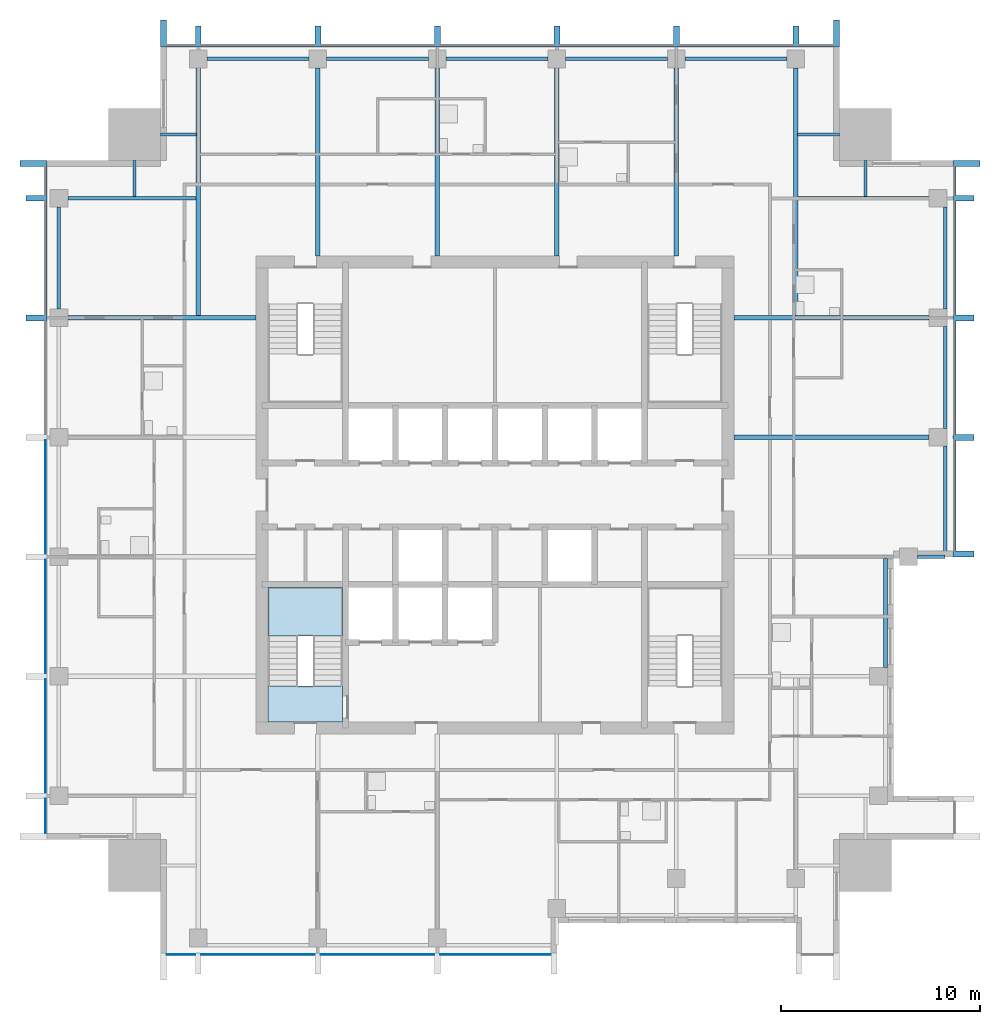
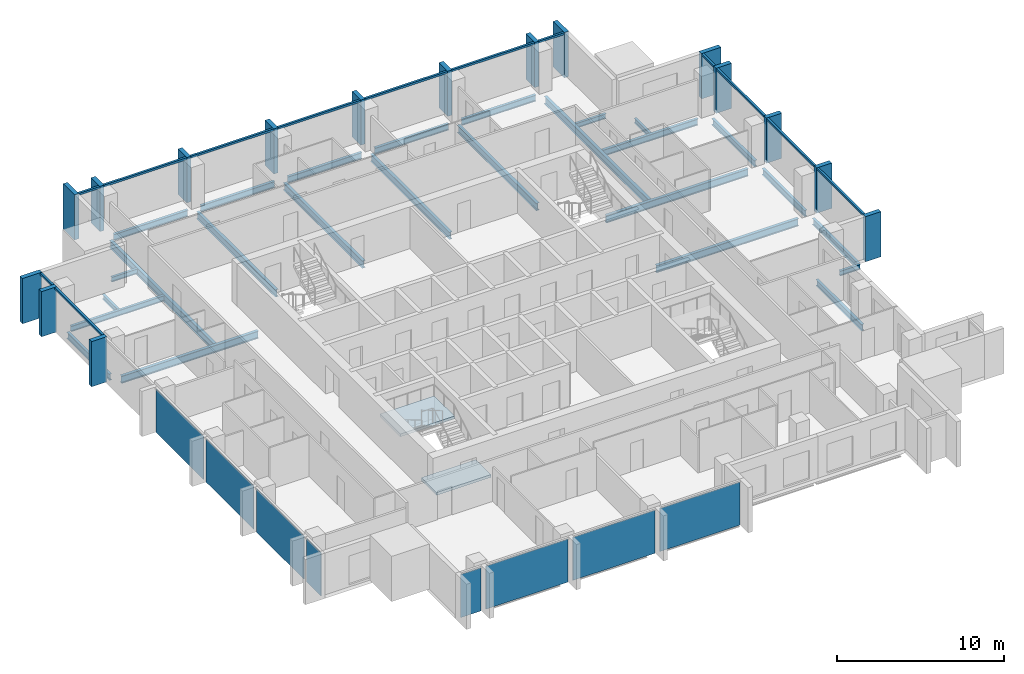
# One storey, part 2 of 9: 29 members, 26 beams, 8 plates, 2 slabs, 5 elements without a shape of their own.
"""IFC4 building model written with IfcOpenShell, lengths in metres."""

from ifc_helpers import new_model, si_unit, direction, frame, origin, origin_2d, place, context, subcontext, project, spatial, polyline, rectangle, i_section, outline, extrude, material, layer, layer_set, material_profile, profile_set, type_object, element, aggregate, save


model = new_model("IFC4")

# Units and contexts
model_context = context("Model", 3, precision=1e-05, world=origin(), true_north=direction((0.0, 1.0)))
body_context = subcontext(model_context, "Body", "Model", "MODEL_VIEW")
ifc_project = project(units=[si_unit("LENGTHUNIT", "METRE"), si_unit("AREAUNIT", "SQUARE_METRE"), si_unit("VOLUMEUNIT", "CUBIC_METRE"), si_unit("PLANEANGLEUNIT", "RADIAN"), si_unit("MASSUNIT", "GRAM", prefix="KILO")], contexts=[model_context])

# Site, building, storey
site_placement = place(None, origin())
site = spatial("IfcSite", under=ifc_project, at=site_placement, CompositionType="ELEMENT")
building_placement = place(site_placement, origin())
building = spatial("IfcBuilding", under=site, at=building_placement, Name="Amberfall Residences", CompositionType="ELEMENT")
storey_placement = place(building_placement, frame((0.0, 0.0, 210.10009765625)))
storey = spatial("IfcBuildingStorey", under=building, at=storey_placement, Name="L56", CompositionType="ELEMENT", Elevation=210.10009765625)

# Curtain wall, members
ifc_material_1 = material(Name="Bronze anodised aluminium and glass", Category="aluminium")
curtain_wall_type = type_object("IfcCurtainWallType", Name="Curtain wall CW1 tower unit", PredefinedType="USERDEFINED", material=ifc_material_1)
curtain_wall_1_placement = place(storey_placement, origin())
curtain_wall_1 = element("IfcCurtainWall", 1, at=curtain_wall_1_placement, inside=storey, type_object=curtain_wall_type, Name="Curtain wall L56 E E6", ObjectType="UNITISED CURTAIN WALL", PredefinedType="USERDEFINED")
ifc_material_2 = material(Name="Bronze anodised aluminium", Category="aluminium")
ifc_material_profile_1 = material_profile(ifc_material_2, rectangle(XDim=0.14990234375, YDim=0.14990234375, at=origin_2d()), Name="CW1 transom 150 x 150 bronze")
ifc_profile_set_1 = profile_set([ifc_material_profile_1], Name="Bronze anodised aluminium")
member_type_1 = type_object("IfcMemberType", Name="CW1 transom 150 x 150 bronze", PredefinedType="USERDEFINED", material=ifc_profile_set_1)
member_1_placement = place(storey_placement, frame((97.574951171875, 42.699951171875, 2.974853515625), z_axis=(0.0, 1.0, 0.0), x_axis=(-1.0, 0.0, 0.0)))
member_1 = element("IfcMember", 2, at=member_1_placement, type_object=member_type_1, Name="CW1 transom 1.1", ObjectType="TRANSOM", PredefinedType="USERDEFINED", context=body_context, shape_type="SweptSolid", body=[
    extrude(rectangle(XDim=0.14990234375, YDim=0.14990234375, at=origin_2d()), origin(), (0.0, 0.0, 1.0), 5.550048828125),
])
member_2_placement = place(storey_placement, frame((97.574951171875, 48.550048828125, 2.974853515625), z_axis=(0.0, 1.0, 0.0), x_axis=(-1.0, 0.0, 0.0)))
member_2 = element("IfcMember", 3, at=member_2_placement, type_object=member_type_1, Name="CW1 transom 2.1", ObjectType="TRANSOM", PredefinedType="USERDEFINED", context=body_context, shape_type="SweptSolid", body=[
    extrude(rectangle(XDim=0.14990234375, YDim=0.14990234375, at=origin_2d()), origin(), (0.0, 0.0, 1.0), 5.699951171875),
])
member_3_placement = place(storey_placement, frame((97.574951171875, 54.550048828125, 2.974853515625), z_axis=(0.0, 1.0, 0.0), x_axis=(-1.0, 0.0, 0.0)))
member_3 = element("IfcMember", 4, at=member_3_placement, type_object=member_type_1, Name="CW1 transom 3.1", ObjectType="TRANSOM", PredefinedType="USERDEFINED", context=body_context, shape_type="SweptSolid", body=[
    extrude(rectangle(XDim=0.14990234375, YDim=0.14990234375, at=origin_2d()), origin(), (0.0, 0.0, 1.0), 5.699951171875),
])
member_4_placement = place(storey_placement, frame((97.574951171875, 60.550048828125, 2.974853515625), z_axis=(0.0, 1.0, 0.0), x_axis=(-1.0, 0.0, 0.0)))
member_4 = element("IfcMember", 5, at=member_4_placement, type_object=member_type_1, Name="CW1 transom 4.1", ObjectType="TRANSOM", PredefinedType="USERDEFINED", context=body_context, shape_type="SweptSolid", body=[
    extrude(rectangle(XDim=0.14990234375, YDim=0.14990234375, at=origin_2d()), origin(), (0.0, 0.0, 1.0), 1.449951171875),
])

curtain_wall_2_placement = place(storey_placement, origin())
curtain_wall_2 = element("IfcCurtainWall", 6, at=curtain_wall_2_placement, inside=storey, type_object=curtain_wall_type, Name="Curtain wall L56 N N1", ObjectType="UNITISED CURTAIN WALL", PredefinedType="USERDEFINED")
member_5_placement = place(storey_placement, frame((91.5, 68.074951171875, 2.974853515625), z_axis=(-1.0, 0.0, 0.0), x_axis=(0.0, -1.0, 0.0)))
member_5 = element("IfcMember", 7, at=member_5_placement, type_object=member_type_1, Name="CW1 transom 1.1", ObjectType="TRANSOM", PredefinedType="USERDEFINED", context=body_context, shape_type="SweptSolid", body=[
    extrude(rectangle(XDim=0.14990234375, YDim=0.14990234375, at=origin_2d()), origin(), (0.0, 0.0, 1.0), 1.75),
])
member_6_placement = place(storey_placement, frame((89.449951171875, 68.074951171875, 2.974853515625), z_axis=(-1.0, 0.0, 0.0), x_axis=(0.0, -1.0, 0.0)))
member_6 = element("IfcMember", 8, at=member_6_placement, type_object=member_type_1, Name="CW1 transom 2.1", ObjectType="TRANSOM", PredefinedType="USERDEFINED", context=body_context, shape_type="SweptSolid", body=[
    extrude(rectangle(XDim=0.14990234375, YDim=0.14990234375, at=origin_2d()), origin(), (0.0, 0.0, 1.0), 5.699951171875),
])
member_7_placement = place(storey_placement, frame((83.449951171875, 68.074951171875, 2.974853515625), z_axis=(-1.0, 0.0, 0.0), x_axis=(0.0, -1.0, 0.0)))
member_7 = element("IfcMember", 9, at=member_7_placement, type_object=member_type_1, Name="CW1 transom 3.1", ObjectType="TRANSOM", PredefinedType="USERDEFINED", context=body_context, shape_type="SweptSolid", body=[
    extrude(rectangle(XDim=0.14990234375, YDim=0.14990234375, at=origin_2d()), origin(), (0.0, 0.0, 1.0), 5.699951171875),
])
member_8_placement = place(storey_placement, frame((77.449951171875, 68.074951171875, 2.974853515625), z_axis=(-1.0, 0.0, 0.0), x_axis=(0.0, -1.0, 0.0)))
member_8 = element("IfcMember", 10, at=member_8_placement, type_object=member_type_1, Name="CW1 transom 4.1", ObjectType="TRANSOM", PredefinedType="USERDEFINED", context=body_context, shape_type="SweptSolid", body=[
    extrude(rectangle(XDim=0.14990234375, YDim=0.14990234375, at=origin_2d()), origin(), (0.0, 0.0, 1.0), 5.699951171875),
])
member_9_placement = place(storey_placement, frame((71.449951171875, 68.074951171875, 2.974853515625), z_axis=(-1.0, 0.0, 0.0), x_axis=(0.0, -1.0, 0.0)))
member_9 = element("IfcMember", 11, at=member_9_placement, type_object=member_type_1, Name="CW1 transom 5.1", ObjectType="TRANSOM", PredefinedType="USERDEFINED", context=body_context, shape_type="SweptSolid", body=[
    extrude(rectangle(XDim=0.14990234375, YDim=0.14990234375, at=origin_2d()), origin(), (0.0, 0.0, 1.0), 5.699951171875),
])
member_10_placement = place(storey_placement, frame((65.449951171875, 68.074951171875, 2.974853515625), z_axis=(-1.0, 0.0, 0.0), x_axis=(0.0, -1.0, 0.0)))
member_10 = element("IfcMember", 12, at=member_10_placement, type_object=member_type_1, Name="CW1 transom 6.1", ObjectType="TRANSOM", PredefinedType="USERDEFINED", context=body_context, shape_type="SweptSolid", body=[
    extrude(rectangle(XDim=0.14990234375, YDim=0.14990234375, at=origin_2d()), origin(), (0.0, 0.0, 1.0), 5.699951171875),
])
member_11_placement = place(storey_placement, frame((59.449951171875, 68.074951171875, 2.974853515625), z_axis=(-1.0, 0.0, 0.0), x_axis=(0.0, -1.0, 0.0)))
member_11 = element("IfcMember", 13, at=member_11_placement, type_object=member_type_1, Name="CW1 transom 7.1", ObjectType="TRANSOM", PredefinedType="USERDEFINED", context=body_context, shape_type="SweptSolid", body=[
    extrude(rectangle(XDim=0.14990234375, YDim=0.14990234375, at=origin_2d()), origin(), (0.0, 0.0, 1.0), 1.449951171875),
])

curtain_wall_3_placement = place(storey_placement, origin())
curtain_wall_3 = element("IfcCurtainWall", 14, at=curtain_wall_3_placement, inside=storey, type_object=curtain_wall_type, Name="Curtain wall L56 W W1", ObjectType="UNITISED CURTAIN WALL", PredefinedType="USERDEFINED")
member_12_placement = place(storey_placement, frame((51.925048828125, 62.0, 2.974853515625), z_axis=(0.0, -1.0, 0.0), x_axis=(1.0, 0.0, 0.0)))
member_12 = element("IfcMember", 15, at=member_12_placement, type_object=member_type_1, Name="CW1 transom 1.1", ObjectType="TRANSOM", PredefinedType="USERDEFINED", context=body_context, shape_type="SweptSolid", body=[
    extrude(rectangle(XDim=0.14990234375, YDim=0.14990234375, at=origin_2d()), origin(), (0.0, 0.0, 1.0), 1.449951171875),
])
member_13_placement = place(storey_placement, frame((51.925048828125, 60.25, 2.974853515625), z_axis=(0.0, -1.0, 0.0), x_axis=(1.0, 0.0, 0.0)))
member_13 = element("IfcMember", 16, at=member_13_placement, type_object=member_type_1, Name="CW1 transom 2.1", ObjectType="TRANSOM", PredefinedType="USERDEFINED", context=body_context, shape_type="SweptSolid", body=[
    extrude(rectangle(XDim=0.14990234375, YDim=0.14990234375, at=origin_2d()), origin(), (0.0, 0.0, 1.0), 5.699951171875),
])

# Beam
ifc_material_3 = material(Name="Steel S355", Category="steel")
ifc_material_profile_2 = material_profile(ifc_material_3, i_section(OverallWidth=0.171142578125, OverallDepth=0.351318359375, WebThickness=0.007080078125, FlangeThickness=0.009765625, FilletRadius=0.01025390625, at=origin_2d()), Name="UB 356x171x45")
ifc_profile_set_2 = profile_set([ifc_material_profile_2], Name="Steel S355")
beam_type_1 = type_object("IfcBeamType", Name="Cantilever girder UB 356x171x45", PredefinedType="BEAM", material=ifc_profile_set_2)
beam_1_placement = place(storey_placement, frame((95.699951171875, 42.39990234375, -0.42578125), z_axis=(1.0, 0.0, 0.0), x_axis=(0.0, 1.0, 0.0)))
element("IfcBeam", 17, at=beam_1_placement, inside=storey, type_object=beam_type_1, Name="Cantilever girder B8 L56 20", PredefinedType="BEAM", context=body_context, shape_type="SweptSolid", body=[
    extrude(i_section(OverallWidth=0.171142578125, OverallDepth=0.351318359375, WebThickness=0.007080078125, FlangeThickness=0.009765625, FilletRadius=0.01025390625, at=origin_2d()), origin(), (0.0, 0.0, 1.0), 1.400146484375),
])

# Member
ifc_material_profile_3 = material_profile(ifc_material_2, rectangle(XDim=1.35009765625, YDim=0.300048828125, at=origin_2d()), Name="Corner fin 300 x 1350 bronze")
ifc_profile_set_3 = profile_set([ifc_material_profile_3], Name="Bronze anodised aluminium")
member_type_2 = type_object("IfcMemberType", Name="Corner fin 300 x 1350 bronze", PredefinedType="MULLION", material=ifc_profile_set_3)
member_14_placement = place(storey_placement, frame((98.175048828125, 62.14990234375, -0.25), z_axis=(0.0, 0.0, 1.0), x_axis=(-1.0, 0.0, 0.0)))
member_14 = element("IfcMember", 18, at=member_14_placement, type_object=member_type_2, Name="CW FIN 5", PredefinedType="MULLION", context=body_context, shape_type="SweptSolid", body=[
    extrude(rectangle(XDim=1.35009765625, YDim=0.300048828125, at=origin_2d()), origin(), (0.0, 0.0, 1.0), 3.2998046875),
])

member_15_placement = place(storey_placement, frame((91.64990234375, 68.675048828125, -0.25), z_axis=(0.0, 0.0, 1.0), x_axis=(0.0, -1.0, 0.0)))
member_15 = element("IfcMember", 19, at=member_15_placement, type_object=member_type_2, Name="CW FIN 1", PredefinedType="MULLION", context=body_context, shape_type="SweptSolid", body=[
    extrude(rectangle(XDim=1.35009765625, YDim=0.300048828125, at=origin_2d()), origin(), (0.0, 0.0, 1.0), 3.2998046875),
])

member_16_placement = place(storey_placement, frame((57.85009765625, 68.675048828125, -0.25), z_axis=(0.0, 0.0, 1.0), x_axis=(0.0, -1.0, 0.0)))
member_16 = element("IfcMember", 20, at=member_16_placement, type_object=member_type_2, Name="CW FIN 8", PredefinedType="MULLION", context=body_context, shape_type="SweptSolid", body=[
    extrude(rectangle(XDim=1.35009765625, YDim=0.300048828125, at=origin_2d()), origin(), (0.0, 0.0, 1.0), 3.2998046875),
])

member_17_placement = place(storey_placement, frame((51.324951171875, 62.14990234375, -0.25), z_axis=(0.0, 0.0, 1.0), x_axis=(1.0, 0.0, 0.0)))
member_17 = element("IfcMember", 21, at=member_17_placement, type_object=member_type_2, Name="CW FIN 1", PredefinedType="MULLION", context=body_context, shape_type="SweptSolid", body=[
    extrude(rectangle(XDim=1.35009765625, YDim=0.300048828125, at=origin_2d()), origin(), (0.0, 0.0, 1.0), 3.2998046875),
])

# Beams
ifc_material_profile_4 = material_profile(ifc_material_3, i_section(OverallWidth=0.18994140625, OverallDepth=0.453369140625, WebThickness=0.008544921875, FlangeThickness=0.0126953125, FilletRadius=0.01025390625, at=origin_2d()), Name="UB 457x191x67")
ifc_profile_set_4 = profile_set([ifc_material_profile_4], Name="Steel S355")
beam_type_2 = type_object("IfcBeamType", Name="Edge beam UB 457x191x67", PredefinedType="SPANDREL", material=ifc_profile_set_4)
for number, where, z_axis, x_axis, name in (
    (22, (94.10009765625, 36.85009765625, -0.476806640625), (0.0, 1.0, 0.0), (-1.0, 0.0, 0.0), "Edge beam B1 L56 16"),
    (23, (97.10009765625, 42.47998046875, -0.476806640625), (0.0, 1.0, 0.0), (-1.0, 0.0, 0.0), "Edge beam B1 L56 17"),
):
    element("IfcBeam", number, at=place(storey_placement, frame(where, z_axis=z_axis, x_axis=x_axis)), inside=storey, type_object=beam_type_2, Name=name, PredefinedType="SPANDREL", context=body_context, shape_type="SweptSolid", body=[
        extrude(i_section(OverallWidth=0.18994140625, OverallDepth=0.453369140625, WebThickness=0.008544921875, FlangeThickness=0.0126953125, FilletRadius=0.01025390625, at=origin_2d()), origin(), (0.0, 0.0, 1.0), 5.469970703125),
    ])
for number, where, z_axis, x_axis, name in (
    (24, (97.10009765625, 48.85009765625, -0.476806640625), (0.0, 1.0, 0.0), (-1.0, 0.0, 0.0), "Edge beam B1 L56 18"),
    (25, (97.10009765625, 54.85009765625, -0.476806640625), (0.0, 1.0, 0.0), (-1.0, 0.0, 0.0), "Edge beam B1 L56 19"),
    (26, (60.050048828125, 67.39990234375, -0.476806640625), (1.0, 0.0, 0.0), (0.0, 1.0, 0.0), "Edge beam B1 L56 27"),
    (27, (66.050048828125, 67.39990234375, -0.476806640625), (1.0, 0.0, 0.0), (0.0, 1.0, 0.0), "Edge beam B1 L56 28"),
    (28, (72.050048828125, 67.39990234375, -0.476806640625), (1.0, 0.0, 0.0), (0.0, 1.0, 0.0), "Edge beam B1 L56 29"),
    (29, (78.050048828125, 67.39990234375, -0.476806640625), (1.0, 0.0, 0.0), (0.0, 1.0, 0.0), "Edge beam B1 L56 30"),
    (30, (84.050048828125, 67.39990234375, -0.476806640625), (1.0, 0.0, 0.0), (0.0, 1.0, 0.0), "Edge beam B1 L56 31"),
    (31, (52.60009765625, 54.85009765625, -0.476806640625), (0.0, 1.0, 0.0), (-1.0, 0.0, 0.0), "Edge beam B1 L56 42"),
):
    element("IfcBeam", number, at=place(storey_placement, frame(where, z_axis=z_axis, x_axis=x_axis)), inside=storey, type_object=beam_type_2, Name=name, PredefinedType="SPANDREL", context=body_context, shape_type="SweptSolid", body=[
        extrude(i_section(OverallWidth=0.18994140625, OverallDepth=0.453369140625, WebThickness=0.008544921875, FlangeThickness=0.0126953125, FilletRadius=0.01025390625, at=origin_2d()), origin(), (0.0, 0.0, 1.0), 5.099853515625),
    ])

# Member
ifc_material_profile_5 = material_profile(ifc_material_2, rectangle(XDim=1.050048828125, YDim=0.300048828125, at=origin_2d()), Name="Fin 300 x 1050 bronze")
ifc_profile_set_5 = profile_set([ifc_material_profile_5], Name="Bronze anodised aluminium")
member_type_3 = type_object("IfcMemberType", Name="Fin 300 x 1050 bronze", PredefinedType="MULLION", material=ifc_profile_set_5)
member_18_placement = place(storey_placement, frame((98.02490234375, 42.550048828125, -0.25), z_axis=(0.0, 0.0, 1.0), x_axis=(-1.0, 0.0, 0.0)))
member_18 = element("IfcMember", 32, at=member_18_placement, type_object=member_type_3, Name="CW FIN 1", PredefinedType="MULLION", context=body_context, shape_type="SweptSolid", body=[
    extrude(rectangle(XDim=1.050048828125, YDim=0.300048828125, at=origin_2d()), origin(), (0.0, 0.0, 1.0), 3.2998046875),
])

member_19_placement = place(storey_placement, frame((98.02490234375, 48.39990234375, -0.25), z_axis=(0.0, 0.0, 1.0), x_axis=(-1.0, 0.0, 0.0)))
member_19 = element("IfcMember", 33, at=member_19_placement, type_object=member_type_3, Name="CW FIN 2", PredefinedType="MULLION", context=body_context, shape_type="SweptSolid", body=[
    extrude(rectangle(XDim=1.050048828125, YDim=0.300048828125, at=origin_2d()), origin(), (0.0, 0.0, 1.0), 3.2998046875),
])

member_20_placement = place(storey_placement, frame((98.02490234375, 54.39990234375, -0.25), z_axis=(0.0, 0.0, 1.0), x_axis=(-1.0, 0.0, 0.0)))
member_20 = element("IfcMember", 34, at=member_20_placement, type_object=member_type_3, Name="CW FIN 3", PredefinedType="MULLION", context=body_context, shape_type="SweptSolid", body=[
    extrude(rectangle(XDim=1.050048828125, YDim=0.300048828125, at=origin_2d()), origin(), (0.0, 0.0, 1.0), 3.2998046875),
])

member_21_placement = place(storey_placement, frame((98.02490234375, 60.39990234375, -0.25), z_axis=(0.0, 0.0, 1.0), x_axis=(-1.0, 0.0, 0.0)))
member_21 = element("IfcMember", 35, at=member_21_placement, type_object=member_type_3, Name="CW FIN 4", PredefinedType="MULLION", context=body_context, shape_type="SweptSolid", body=[
    extrude(rectangle(XDim=1.050048828125, YDim=0.300048828125, at=origin_2d()), origin(), (0.0, 0.0, 1.0), 3.2998046875),
])

aggregate(curtain_wall_1, [member_18, member_19, member_20, member_21, member_14, member_1, member_2, member_3, member_4])

member_22_placement = place(storey_placement, frame((89.60009765625, 68.52490234375, -0.25), z_axis=(0.0, 0.0, 1.0), x_axis=(0.0, -1.0, 0.0)))
member_22 = element("IfcMember", 36, at=member_22_placement, type_object=member_type_3, Name="CW FIN 2", PredefinedType="MULLION", context=body_context, shape_type="SweptSolid", body=[
    extrude(rectangle(XDim=1.050048828125, YDim=0.300048828125, at=origin_2d()), origin(), (0.0, 0.0, 1.0), 3.2998046875),
])

member_23_placement = place(storey_placement, frame((83.60009765625, 68.52490234375, -0.25), z_axis=(0.0, 0.0, 1.0), x_axis=(0.0, -1.0, 0.0)))
member_23 = element("IfcMember", 37, at=member_23_placement, type_object=member_type_3, Name="CW FIN 3", PredefinedType="MULLION", context=body_context, shape_type="SweptSolid", body=[
    extrude(rectangle(XDim=1.050048828125, YDim=0.300048828125, at=origin_2d()), origin(), (0.0, 0.0, 1.0), 3.2998046875),
])

member_24_placement = place(storey_placement, frame((77.60009765625, 68.52490234375, -0.25), z_axis=(0.0, 0.0, 1.0), x_axis=(0.0, -1.0, 0.0)))
member_24 = element("IfcMember", 38, at=member_24_placement, type_object=member_type_3, Name="CW FIN 4", PredefinedType="MULLION", context=body_context, shape_type="SweptSolid", body=[
    extrude(rectangle(XDim=1.050048828125, YDim=0.300048828125, at=origin_2d()), origin(), (0.0, 0.0, 1.0), 3.2998046875),
])

member_25_placement = place(storey_placement, frame((71.60009765625, 68.52490234375, -0.25), z_axis=(0.0, 0.0, 1.0), x_axis=(0.0, -1.0, 0.0)))
member_25 = element("IfcMember", 39, at=member_25_placement, type_object=member_type_3, Name="CW FIN 5", PredefinedType="MULLION", context=body_context, shape_type="SweptSolid", body=[
    extrude(rectangle(XDim=1.050048828125, YDim=0.300048828125, at=origin_2d()), origin(), (0.0, 0.0, 1.0), 3.2998046875),
])

member_26_placement = place(storey_placement, frame((65.60009765625, 68.52490234375, -0.25), z_axis=(0.0, 0.0, 1.0), x_axis=(0.0, -1.0, 0.0)))
member_26 = element("IfcMember", 40, at=member_26_placement, type_object=member_type_3, Name="CW FIN 6", PredefinedType="MULLION", context=body_context, shape_type="SweptSolid", body=[
    extrude(rectangle(XDim=1.050048828125, YDim=0.300048828125, at=origin_2d()), origin(), (0.0, 0.0, 1.0), 3.2998046875),
])

member_27_placement = place(storey_placement, frame((59.60009765625, 68.52490234375, -0.25), z_axis=(0.0, 0.0, 1.0), x_axis=(0.0, -1.0, 0.0)))
member_27 = element("IfcMember", 41, at=member_27_placement, type_object=member_type_3, Name="CW FIN 7", PredefinedType="MULLION", context=body_context, shape_type="SweptSolid", body=[
    extrude(rectangle(XDim=1.050048828125, YDim=0.300048828125, at=origin_2d()), origin(), (0.0, 0.0, 1.0), 3.2998046875),
])

aggregate(curtain_wall_2, [member_15, member_22, member_23, member_24, member_25, member_26, member_27, member_16, member_5, member_6, member_7, member_8, member_9, member_10, member_11])

member_28_placement = place(storey_placement, frame((51.47509765625, 60.39990234375, -0.25), z_axis=(0.0, 0.0, 1.0), x_axis=(1.0, 0.0, 0.0)))
member_28 = element("IfcMember", 42, at=member_28_placement, type_object=member_type_3, Name="CW FIN 2", PredefinedType="MULLION", context=body_context, shape_type="SweptSolid", body=[
    extrude(rectangle(XDim=1.050048828125, YDim=0.300048828125, at=origin_2d()), origin(), (0.0, 0.0, 1.0), 3.2998046875),
])

member_29_placement = place(storey_placement, frame((51.47509765625, 54.39990234375, -0.25), z_axis=(0.0, 0.0, 1.0), x_axis=(1.0, 0.0, 0.0)))
member_29 = element("IfcMember", 43, at=member_29_placement, type_object=member_type_3, Name="CW FIN 3", PredefinedType="MULLION", context=body_context, shape_type="SweptSolid", body=[
    extrude(rectangle(XDim=1.050048828125, YDim=0.300048828125, at=origin_2d()), origin(), (0.0, 0.0, 1.0), 3.2998046875),
])

# Beams
ifc_material_profile_6 = material_profile(ifc_material_3, i_section(OverallWidth=0.177734375, OverallDepth=0.402587890625, WebThickness=0.0078125, FlangeThickness=0.010986328125, FilletRadius=0.01025390625, at=origin_2d()), Name="UB 406x178x54")
ifc_profile_set_6 = profile_set([ifc_material_profile_6], Name="Steel S355")
beam_type_3 = type_object("IfcBeamType", Name="Floor girder UB 406x178x54", PredefinedType="BEAM", material=ifc_profile_set_6)
beam_2_placement = place(storey_placement, frame((53.050048828125, 60.39990234375, -0.451416015625), z_axis=(1.0, 0.0, 0.0), x_axis=(0.0, 1.0, 0.0)))
element("IfcBeam", 44, at=beam_2_placement, inside=storey, type_object=beam_type_3, Name="Floor girder B4 L56 48", PredefinedType="BEAM", context=body_context, shape_type="SweptSolid", body=[
    extrude(i_section(OverallWidth=0.177734375, OverallDepth=0.402587890625, WebThickness=0.0078125, FlangeThickness=0.010986328125, FilletRadius=0.01025390625, at=origin_2d()), origin(), (0.0, 0.0, 1.0), 6.429931640625),
])
ifc_material_profile_7 = material_profile(ifc_material_3, i_section(OverallWidth=0.19140625, OverallDepth=0.4599609375, WebThickness=0.010009765625, FlangeThickness=0.01611328125, FilletRadius=0.01025390625, at=origin_2d()), Name="UB 457x191x82")
ifc_profile_set_7 = profile_set([ifc_material_profile_7], Name="Steel S355")
beam_type_4 = type_object("IfcBeamType", Name="Floor girder UB 457x191x82", PredefinedType="BEAM", material=ifc_profile_set_7)
beam_3_placement = place(storey_placement, frame((96.300048828125, 60.39990234375, -0.47998046875), z_axis=(-1.0, 0.0, 0.0), x_axis=(0.0, -1.0, 0.0)))
element("IfcBeam", 45, at=beam_3_placement, inside=storey, type_object=beam_type_4, Name="Floor girder B10 L56 26", PredefinedType="BEAM", context=body_context, shape_type="SweptSolid", body=[
    extrude(i_section(OverallWidth=0.19140625, OverallDepth=0.4599609375, WebThickness=0.010009765625, FlangeThickness=0.01611328125, FilletRadius=0.01025390625, at=origin_2d()), origin(), (0.0, 0.0, 1.0), 6.580078125),
])
ifc_material_profile_8 = material_profile(ifc_material_3, i_section(OverallWidth=0.210693359375, OverallDepth=0.53955078125, WebThickness=0.01171875, FlangeThickness=0.018798828125, FilletRadius=0.0126953125, at=origin_2d()), Name="UB 533x210x109")
ifc_profile_set_8 = profile_set([ifc_material_profile_8], Name="Steel S355")
beam_type_5 = type_object("IfcBeamType", Name="Floor girder UB 533x210x109", PredefinedType="BEAM", material=ifc_profile_set_8)
for number, where, z_axis, x_axis, name in (
    (46, (59.60009765625, 66.949951171875, -0.519775390625), (0.0, -1.0, 0.0), (1.0, 0.0, 0.0), "Floor girder B2 L56 32"),
    (47, (89.60009765625, 66.949951171875, -0.519775390625), (0.0, -1.0, 0.0), (1.0, 0.0, 0.0), "Floor girder B2 L56 37"),
):
    element("IfcBeam", number, at=place(storey_placement, frame(where, z_axis=z_axis, x_axis=x_axis)), inside=storey, type_object=beam_type_5, Name=name, PredefinedType="BEAM", context=body_context, shape_type="SweptSolid", body=[
        extrude(i_section(OverallWidth=0.210693359375, OverallDepth=0.53955078125, WebThickness=0.01171875, FlangeThickness=0.018798828125, FilletRadius=0.0126953125, at=origin_2d()), origin(), (0.0, 0.0, 1.0), 12.450439453125),
    ])
ifc_material_profile_9 = material_profile(ifc_material_3, i_section(OverallWidth=0.209228515625, OverallDepth=0.533203125, WebThickness=0.010009765625, FlangeThickness=0.015625, FilletRadius=0.0126953125, at=origin_2d()), Name="UB 533x210x92")
ifc_profile_set_9 = profile_set([ifc_material_profile_9], Name="Steel S355")
beam_type_6 = type_object("IfcBeamType", Name="Floor girder UB 533x210x92", PredefinedType="BEAM", material=ifc_profile_set_9)
for number, where, z_axis, x_axis, name in (
    (48, (96.300048828125, 48.39990234375, -0.5166015625), (-1.0, 0.0, 0.0), (0.0, -1.0, 0.0), "Floor girder B3 L56 24"),
    (49, (96.300048828125, 54.39990234375, -0.5166015625), (-1.0, 0.0, 0.0), (0.0, -1.0, 0.0), "Floor girder B3 L56 25"),
):
    element("IfcBeam", number, at=place(storey_placement, frame(where, z_axis=z_axis, x_axis=x_axis)), inside=storey, type_object=beam_type_6, Name=name, PredefinedType="BEAM", context=body_context, shape_type="SweptSolid", body=[
        extrude(i_section(OverallWidth=0.209228515625, OverallDepth=0.533203125, WebThickness=0.010009765625, FlangeThickness=0.015625, FilletRadius=0.0126953125, at=origin_2d()), origin(), (0.0, 0.0, 1.0), 9.800048828125),
    ])
for number, where, z_axis, x_axis, name in (
    (50, (65.60009765625, 66.949951171875, -0.5166015625), (0.0, -1.0, 0.0), (1.0, 0.0, 0.0), "Floor girder B3 L56 33"),
    (51, (71.60009765625, 66.949951171875, -0.5166015625), (0.0, -1.0, 0.0), (1.0, 0.0, 0.0), "Floor girder B3 L56 34"),
    (52, (77.60009765625, 66.949951171875, -0.5166015625), (0.0, -1.0, 0.0), (1.0, 0.0, 0.0), "Floor girder B3 L56 35"),
    (53, (83.60009765625, 66.949951171875, -0.5166015625), (0.0, -1.0, 0.0), (1.0, 0.0, 0.0), "Floor girder B3 L56 36"),
    (54, (53.050048828125, 54.39990234375, -0.5166015625), (1.0, 0.0, 0.0), (0.0, 1.0, 0.0), "Floor girder B3 L56 47"),
):
    element("IfcBeam", number, at=place(storey_placement, frame(where, z_axis=z_axis, x_axis=x_axis)), inside=storey, type_object=beam_type_6, Name=name, PredefinedType="BEAM", context=body_context, shape_type="SweptSolid", body=[
        extrude(i_section(OverallWidth=0.209228515625, OverallDepth=0.533203125, WebThickness=0.010009765625, FlangeThickness=0.015625, FilletRadius=0.0126953125, at=origin_2d()), origin(), (0.0, 0.0, 1.0), 9.449951171875),
    ])
ifc_material_profile_10 = material_profile(ifc_material_3, i_section(OverallWidth=0.171142578125, OverallDepth=0.351318359375, WebThickness=0.007080078125, FlangeThickness=0.009765625, FilletRadius=0.01025390625, at=origin_2d()), Name="UB 356x171x45")
ifc_profile_set_10 = profile_set([ifc_material_profile_10], Name="Steel S355")
beam_type_7 = type_object("IfcBeamType", Name="Link beam UB 356x171x45", PredefinedType="BEAM", material=ifc_profile_set_10)
beam_4_placement = place(storey_placement, frame((91.800048828125, 63.60009765625, -0.42578125), z_axis=(-1.0, 0.0, 0.0), x_axis=(0.0, -1.0, 0.0)))
element("IfcBeam", 55, at=beam_4_placement, inside=storey, type_object=beam_type_7, Name="Link beam B7 L56 53", PredefinedType="BEAM", context=body_context, shape_type="SweptSolid", body=[
    extrude(i_section(OverallWidth=0.171142578125, OverallDepth=0.351318359375, WebThickness=0.007080078125, FlangeThickness=0.009765625, FilletRadius=0.01025390625, at=origin_2d()), origin(), (0.0, 0.0, 1.0), 2.104736328125),
])
beam_5_placement = place(storey_placement, frame((93.10009765625, 62.300048828125, -0.42578125), z_axis=(0.0, -1.0, 0.0), x_axis=(1.0, 0.0, 0.0)))
element("IfcBeam", 56, at=beam_5_placement, inside=storey, type_object=beam_type_7, Name="Link beam B7 L56 54", PredefinedType="BEAM", context=body_context, shape_type="SweptSolid", body=[
    extrude(i_section(OverallWidth=0.171142578125, OverallDepth=0.351318359375, WebThickness=0.007080078125, FlangeThickness=0.009765625, FilletRadius=0.01025390625, at=origin_2d()), origin(), (0.0, 0.0, 1.0), 1.814453125),
])
beam_6_placement = place(storey_placement, frame((57.699951171875, 63.60009765625, -0.42578125), z_axis=(1.0, 0.0, 0.0), x_axis=(0.0, 1.0, 0.0)))
element("IfcBeam", 57, at=beam_6_placement, inside=storey, type_object=beam_type_7, Name="Link beam B7 L56 55", PredefinedType="BEAM", context=body_context, shape_type="SweptSolid", body=[
    extrude(i_section(OverallWidth=0.171142578125, OverallDepth=0.351318359375, WebThickness=0.007080078125, FlangeThickness=0.009765625, FilletRadius=0.01025390625, at=origin_2d()), origin(), (0.0, 0.0, 1.0), 1.8046875),
])
beam_7_placement = place(storey_placement, frame((56.39990234375, 62.300048828125, -0.42578125), z_axis=(0.0, -1.0, 0.0), x_axis=(1.0, 0.0, 0.0)))
element("IfcBeam", 58, at=beam_7_placement, inside=storey, type_object=beam_type_7, Name="Link beam B7 L56 56", PredefinedType="BEAM", context=body_context, shape_type="SweptSolid", body=[
    extrude(i_section(OverallWidth=0.171142578125, OverallDepth=0.351318359375, WebThickness=0.007080078125, FlangeThickness=0.009765625, FilletRadius=0.01025390625, at=origin_2d()), origin(), (0.0, 0.0, 1.0), 1.821044921875),
])

# Curtain wall, plates
curtain_wall_4_placement = place(storey_placement, origin())
curtain_wall_4 = element("IfcCurtainWall", 59, at=curtain_wall_4_placement, inside=storey, type_object=curtain_wall_type, Name="Curtain wall L56 S S1", ObjectType="UNITISED CURTAIN WALL", PredefinedType="USERDEFINED")
ifc_material_4 = material(Name="Tinted double glazed unit", Category="glass")
ifc_layer_1 = layer(ifc_material_4, 0.035888671875)
ifc_layer_set_1 = layer_set([ifc_layer_1], Name="CW1 panel 36 glazing")
plate_type = type_object("IfcPlateType", Name="CW1 panel 36 glazing", PredefinedType="CURTAIN_PANEL", material=ifc_layer_set_1)
plate_1_placement = place(storey_placement, frame((58.72509765625, 22.425048828125, -0.25), z_axis=(0.0, 0.0, 1.0), x_axis=(1.0, 0.0, 0.0)))
plate_1 = element("IfcPlate", 60, at=plate_1_placement, type_object=plate_type, Name="CW1 panel 1.1", PredefinedType="CURTAIN_PANEL", context=body_context, shape_type="SweptSolid", body=[
    extrude(rectangle(XDim=1.426025390625, YDim=0.035888671875, at=origin_2d()), origin(), (0.0, 0.0, 1.0), 3.14990234375),
])
plate_2_placement = place(storey_placement, frame((62.60009765625, 22.425048828125, -0.25), z_axis=(0.0, 0.0, 1.0), x_axis=(1.0, 0.0, 0.0)))
plate_2 = element("IfcPlate", 61, at=plate_2_placement, type_object=plate_type, Name="CW1 panel 2.1", PredefinedType="CURTAIN_PANEL", context=body_context, shape_type="SweptSolid", body=[
    extrude(rectangle(XDim=5.676025390625, YDim=0.035888671875, at=origin_2d()), origin(), (0.0, 0.0, 1.0), 3.14990234375),
])
plate_3_placement = place(storey_placement, frame((68.60009765625, 22.425048828125, -0.25), z_axis=(0.0, 0.0, 1.0), x_axis=(1.0, 0.0, 0.0)))
plate_3 = element("IfcPlate", 62, at=plate_3_placement, type_object=plate_type, Name="CW1 panel 3.1", PredefinedType="CURTAIN_PANEL", context=body_context, shape_type="SweptSolid", body=[
    extrude(rectangle(XDim=5.676025390625, YDim=0.035888671875, at=origin_2d()), origin(), (0.0, 0.0, 1.0), 3.14990234375),
])
plate_4_placement = place(storey_placement, frame((74.52490234375, 22.425048828125, -0.25), z_axis=(0.0, 0.0, 1.0), x_axis=(1.0, 0.0, 0.0)))
plate_4 = element("IfcPlate", 63, at=plate_4_placement, type_object=plate_type, Name="CW1 panel 4.1", PredefinedType="CURTAIN_PANEL", context=body_context, shape_type="SweptSolid", body=[
    extrude(rectangle(XDim=5.52587890625, YDim=0.035888671875, at=origin_2d()), origin(), (0.0, 0.0, 1.0), 3.14990234375),
])
aggregate(curtain_wall_4, [plate_1, plate_2, plate_3, plate_4])

# Plate
plate_5_placement = place(storey_placement, frame((51.925048828125, 45.39990234375, -0.25), z_axis=(0.0, 0.0, 1.0), x_axis=(0.0, -1.0, 0.0)))
plate_5 = element("IfcPlate", 64, at=plate_5_placement, type_object=plate_type, Name="CW1 panel 4.1", PredefinedType="CURTAIN_PANEL", context=body_context, shape_type="SweptSolid", body=[
    extrude(rectangle(XDim=5.676025390625, YDim=0.035888671875, at=origin_2d()), origin(), (0.0, 0.0, 1.0), 3.14990234375),
])

plate_6_placement = place(storey_placement, frame((51.925048828125, 39.39990234375, -0.25), z_axis=(0.0, 0.0, 1.0), x_axis=(0.0, -1.0, 0.0)))
plate_6 = element("IfcPlate", 65, at=plate_6_placement, type_object=plate_type, Name="CW1 panel 5.1", PredefinedType="CURTAIN_PANEL", context=body_context, shape_type="SweptSolid", body=[
    extrude(rectangle(XDim=5.676025390625, YDim=0.035888671875, at=origin_2d()), origin(), (0.0, 0.0, 1.0), 3.14990234375),
])

plate_7_placement = place(storey_placement, frame((51.925048828125, 33.39990234375, -0.25), z_axis=(0.0, 0.0, 1.0), x_axis=(0.0, -1.0, 0.0)))
plate_7 = element("IfcPlate", 66, at=plate_7_placement, type_object=plate_type, Name="CW1 panel 6.1", PredefinedType="CURTAIN_PANEL", context=body_context, shape_type="SweptSolid", body=[
    extrude(rectangle(XDim=5.676025390625, YDim=0.035888671875, at=origin_2d()), origin(), (0.0, 0.0, 1.0), 3.14990234375),
])

plate_8_placement = place(storey_placement, frame((51.925048828125, 29.375, -0.25), z_axis=(0.0, 0.0, 1.0), x_axis=(0.0, -1.0, 0.0)))
plate_8 = element("IfcPlate", 67, at=plate_8_placement, type_object=plate_type, Name="CW1 panel 7.1", PredefinedType="CURTAIN_PANEL", context=body_context, shape_type="SweptSolid", body=[
    extrude(rectangle(XDim=1.72607421875, YDim=0.035888671875, at=origin_2d()), origin(), (0.0, 0.0, 1.0), 3.14990234375),
])

aggregate(curtain_wall_3, [member_17, member_28, member_29, member_12, member_13, plate_5, plate_6, plate_7, plate_8])

# Stair, slabs
ifc_material_5 = material(Name="Concrete C40", Category="concrete")
stair_type = type_object("IfcStairType", Name="Exit stair 20 risers 165.0 mm", PredefinedType="HALF_TURN_STAIR", material=ifc_material_5)
stair_placement = place(storey_placement, origin())
stair = element("IfcStair", 68, at=stair_placement, inside=storey, type_object=stair_type, Name="L56 Exit stair 1", PredefinedType="HALF_TURN_STAIR")
ifc_layer_2 = layer(ifc_material_5, 0.199951171875)
ifc_layer_set_2 = layer_set([ifc_layer_2], Name="Stair landing 200")
slab_type = type_object("IfcSlabType", Name="Stair landing 200", PredefinedType="LANDING", material=ifc_layer_set_2)
slab_1_placement = place(storey_placement, frame((0.0, 0.0, 1.449951171875)))
slab_1 = element("IfcSlab", 69, at=slab_1_placement, type_object=slab_type, Name="ST3 landing 1", PredefinedType="LANDING", context=body_context, shape_type="SweptSolid", body=[
    extrude(outline(polyline([(66.85009765625, 38.419921875), (66.85009765625, 40.85009765625), (63.10009765625, 40.85009765625), (63.10009765625, 38.419921875), (66.85009765625, 38.419921875)])), origin(), (0.0, 0.0, 1.0), 0.199951171875),
])
slab_2_placement = place(storey_placement, frame((0.0, 0.0, -0.2001953125)))
slab_2 = element("IfcSlab", 70, at=slab_2_placement, type_object=slab_type, Name="ST3 landing 2", PredefinedType="LANDING", context=body_context, shape_type="SweptSolid", body=[
    extrude(outline(polyline([(66.85009765625, 34.10009765625), (66.85009765625, 35.89990234375), (63.10009765625, 35.89990234375), (63.10009765625, 34.10009765625), (66.85009765625, 34.10009765625)])), origin(), (0.0, 0.0, 1.0), 0.2001953125),
])
aggregate(stair, [slab_1, slab_2])

save(model, "model.ifc")
